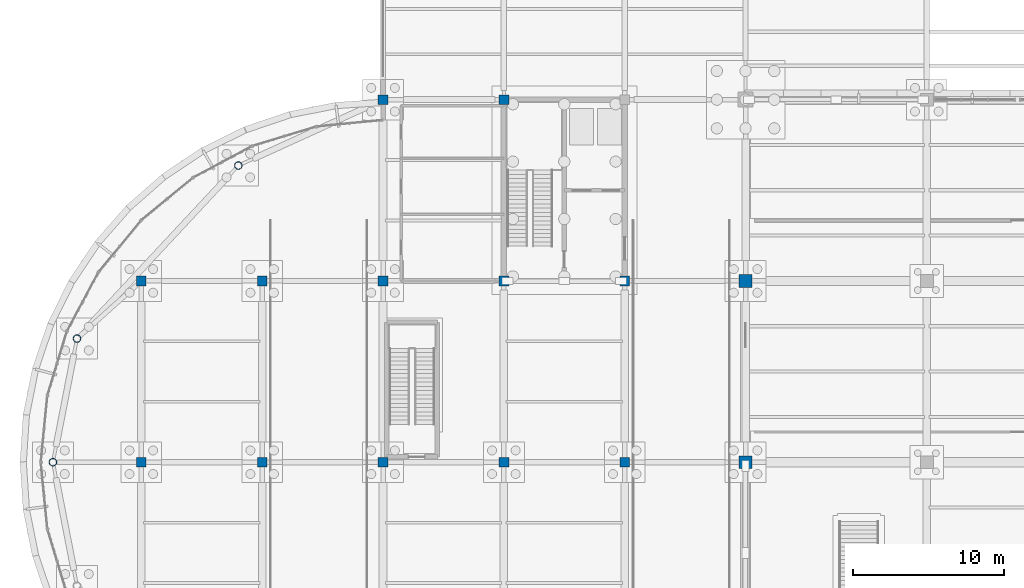
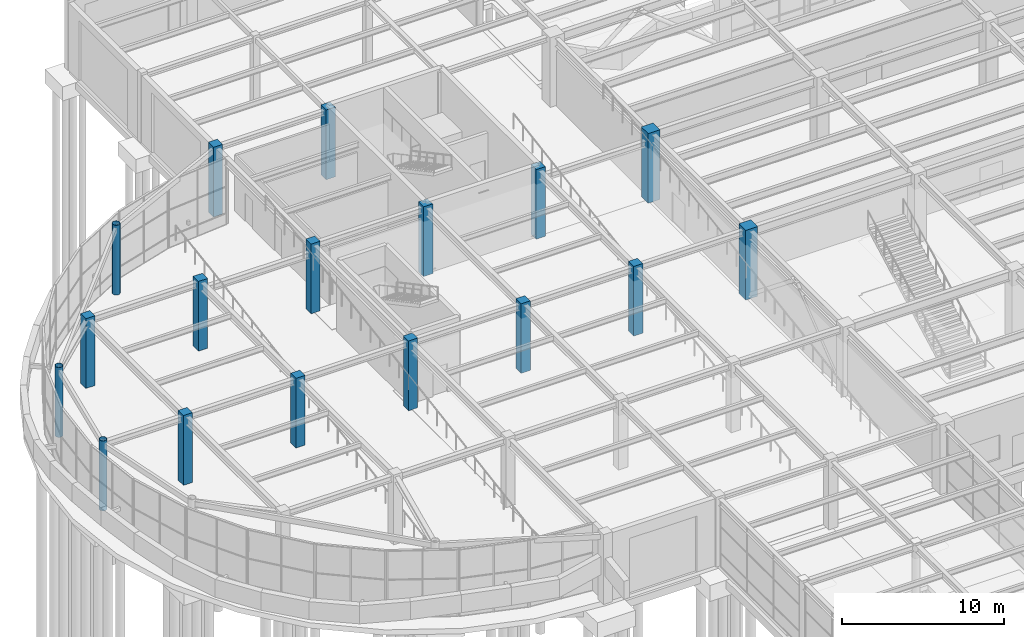
# One storey, part 14 of 85: 17 columns.
"""IFC4 building model written with IfcOpenShell, lengths in metres."""

from ifc_helpers import new_model, si_unit, direction, frame, origin, origin_2d, place, context, subcontext, project, spatial, rectangle, hollow_circle, extrude, material, material_profile, profile_set, type_object, element, save


model = new_model("IFC4")

# Units and contexts
model_context = context("Model", 3, precision=1e-05, world=origin(), true_north=direction((0.0, 1.0)))
body_context = subcontext(model_context, "Body", "Model", "MODEL_VIEW")
ifc_project = project(units=[si_unit("LENGTHUNIT", "METRE"), si_unit("AREAUNIT", "SQUARE_METRE"), si_unit("VOLUMEUNIT", "CUBIC_METRE"), si_unit("PLANEANGLEUNIT", "RADIAN"), si_unit("MASSUNIT", "GRAM", prefix="KILO")], contexts=[model_context])

# Site, building, storey
site_placement = place(None, origin())
site = spatial("IfcSite", under=ifc_project, at=site_placement, CompositionType="ELEMENT")
building_placement = place(site_placement, origin())
building = spatial("IfcBuilding", under=site, at=building_placement, Name="Keelwater Ferry Terminal", CompositionType="ELEMENT")
storey_placement = place(building_placement, origin())
storey = spatial("IfcBuildingStorey", under=building, at=storey_placement, Name="L00", CompositionType="ELEMENT", Elevation=0.0)

# Columns
ifc_material_1 = material(Name="Concrete C50/60", Category="concrete")
ifc_material_profile_1 = material_profile(ifc_material_1, rectangle(XDim=0.85009765625, YDim=0.85009765625, at=origin_2d()), Name="RC 850x850")
ifc_profile_set_1 = profile_set([ifc_material_profile_1], Name="Concrete C50/60")
column_type_1 = type_object("IfcColumnType", Name="C1 RC 850x850", PredefinedType="COLUMN", material=ifc_profile_set_1)
for number, where, z_axis, x_axis, name in (
    (1, (48.0, 66.0, 0.0), (0.0, 0.0, 1.0), (1.0, 0.0, 0.0), "Column CL-L00-0100"),
    (2, (48.0, 78.0, 0.0), (0.0, 0.0, 1.0), (1.0, 0.0, 0.0), "Column CL-L00-0103"),
):
    element("IfcColumn", number, at=place(storey_placement, frame(where, z_axis=z_axis, x_axis=x_axis)), inside=storey, type_object=column_type_1, Name=name, PredefinedType="COLUMN", context=body_context, shape_type="SweptSolid", body=[
        extrude(rectangle(XDim=0.85009765625, YDim=0.85009765625, at=origin_2d()), origin(), (0.0, 0.0, 1.0), 5.239990234375),
    ])
ifc_material_2 = material(Name="Concrete C45/55", Category="concrete")
ifc_material_profile_2 = material_profile(ifc_material_2, rectangle(XDim=0.64990234375, YDim=0.64990234375, at=origin_2d()), Name="RC 650x650")
ifc_profile_set_2 = profile_set([ifc_material_profile_2], Name="Concrete C45/55")
column_type_2 = type_object("IfcColumnType", Name="C3 RC 650x650", PredefinedType="COLUMN", material=ifc_profile_set_2)
for number, where, z_axis, x_axis, name in (
    (3, (8.0, 66.0, 0.0), (0.0, 0.0, 1.0), (1.0, 0.0, 0.0), "Column CL-L00-0004"),
    (4, (8.0, 78.0, 0.0), (0.0, 0.0, 1.0), (1.0, 0.0, 0.0), "Column CL-L00-0007"),
    (5, (16.0, 66.0, 0.0), (0.0, 0.0, 1.0), (1.0, 0.0, 0.0), "Column CL-L00-0013"),
    (6, (16.0, 78.0, 0.0), (0.0, 0.0, 1.0), (1.0, 0.0, 0.0), "Column CL-L00-0016"),
    (7, (24.0, 66.0, 0.0), (0.0, 0.0, 1.0), (1.0, 0.0, 0.0), "Column CL-L00-0025"),
    (8, (24.0, 78.0, 0.0), (0.0, 0.0, 1.0), (1.0, 0.0, 0.0), "Column CL-L00-0028"),
    (9, (24.0, 90.0, 0.0), (0.0, 0.0, 1.0), (1.0, 0.0, 0.0), "Column CL-L00-0031"),
    (10, (32.0, 66.0, 0.0), (0.0, 0.0, 1.0), (1.0, 0.0, 0.0), "Column CL-L00-0050"),
    (11, (32.0, 78.0, 0.0), (0.0, 0.0, 1.0), (1.0, 0.0, 0.0), "Column CL-L00-0053"),
    (12, (32.0, 90.0, 0.0), (0.0, 0.0, 1.0), (1.0, 0.0, 0.0), "Column CL-L00-0056"),
    (13, (40.0, 66.0, 0.0), (0.0, 0.0, 1.0), (1.0, 0.0, 0.0), "Column CL-L00-0075"),
    (14, (40.0, 78.0, 0.0), (0.0, 0.0, 1.0), (1.0, 0.0, 0.0), "Column CL-L00-0078"),
):
    element("IfcColumn", number, at=place(storey_placement, frame(where, z_axis=z_axis, x_axis=x_axis)), inside=storey, type_object=column_type_2, Name=name, PredefinedType="COLUMN", context=body_context, shape_type="SweptSolid", body=[
        extrude(rectangle(XDim=0.64990234375, YDim=0.64990234375, at=origin_2d()), origin(), (0.0, 0.0, 1.0), 5.239990234375),
    ])
ifc_material_3 = material(Name="Steel S355", Category="steel")
ifc_material_profile_3 = material_profile(ifc_material_3, hollow_circle(Radius=0.25390625, WallThickness=0.02001953125, at=origin_2d()), Name="CHS 508x20")
ifc_profile_set_3 = profile_set([ifc_material_profile_3], Name="Steel S355")
column_type_3 = type_object("IfcColumnType", Name="C8E CHS 508x20", PredefinedType="COLUMN", material=ifc_profile_set_3)
for number, where, z_axis, x_axis, name in (
    (15, (14.422119140625, 85.638916015625, 0.0), (0.0, 0.0, 1.0), (1.0, 0.0, 0.0), "Column CL-L00-0527"),
    (16, (3.740966796875, 74.18505859375, 0.0), (0.0, 0.0, 1.0), (1.0, 0.0, 0.0), "Column CL-L00-0530"),
    (17, (2.14990234375, 66.0, 0.0), (0.0, 0.0, 1.0), (1.0, 0.0, 0.0), "Column CL-L00-0533"),
):
    element("IfcColumn", number, at=place(storey_placement, frame(where, z_axis=z_axis, x_axis=x_axis)), inside=storey, type_object=column_type_3, Name=name, PredefinedType="COLUMN", context=body_context, shape_type="SweptSolid", body=[
        extrude(hollow_circle(Radius=0.25390625, WallThickness=0.02001953125, at=origin_2d()), origin(), (0.0, 0.0, 1.0), 5.239990234375),
    ])

save(model, "model.ifc")
